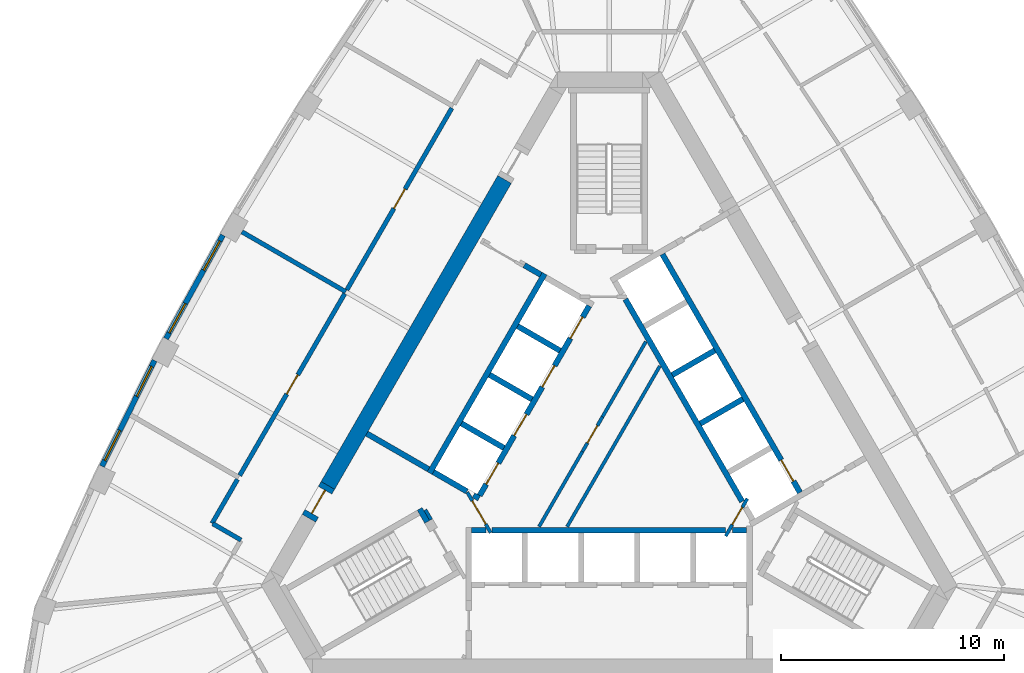
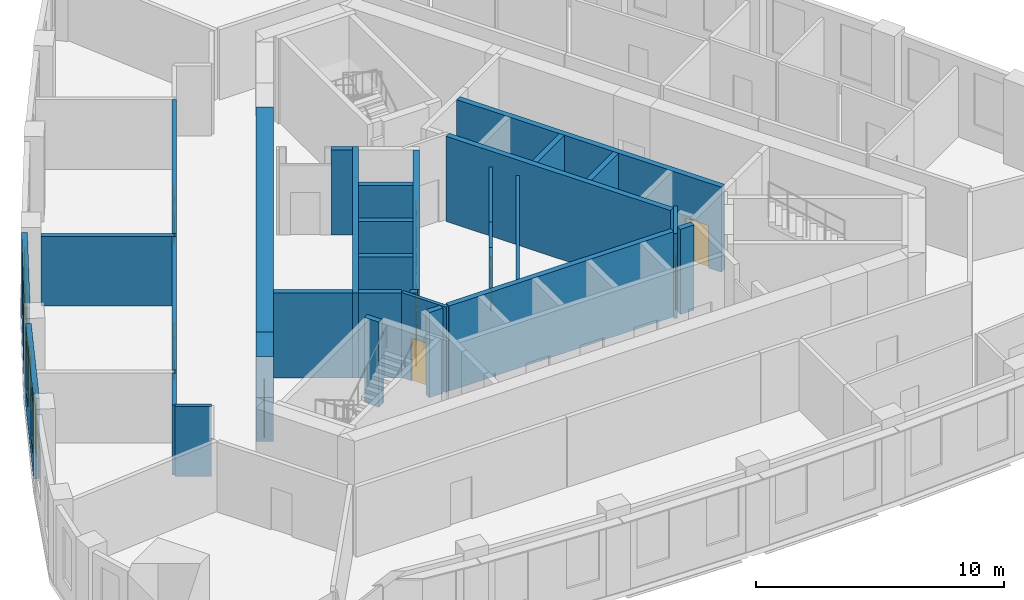
# One storey, part 4 of 10: 33 walls, 11 doors, 4 windows, 15 openings.
"""IFC4 building model written with IfcOpenShell, lengths in metres."""

from ifc_helpers import new_model, si_unit, direction, frame, frame_2d, origin, place, context, subcontext, project, spatial, rectangle, extrude, material, layer, layer_set, type_object, element, fill, save


model = new_model("IFC4")

# Units and contexts
model_context = context("Model", 3, precision=1e-05, world=origin(), true_north=direction((0.0, 1.0)))
body_context = subcontext(model_context, "Body", "Model", "MODEL_VIEW")
ifc_project = project(units=[si_unit("LENGTHUNIT", "METRE"), si_unit("AREAUNIT", "SQUARE_METRE"), si_unit("VOLUMEUNIT", "CUBIC_METRE"), si_unit("PLANEANGLEUNIT", "RADIAN"), si_unit("MASSUNIT", "GRAM", prefix="KILO")], contexts=[model_context])

# Site, building, storey
site_placement = place(None, origin())
site = spatial("IfcSite", under=ifc_project, at=site_placement, CompositionType="ELEMENT")
building_placement = place(site_placement, origin())
building = spatial("IfcBuilding", under=site, at=building_placement, Name="Mestral Congress Tower", CompositionType="ELEMENT")
storey_placement = place(building_placement, frame((0.0, 0.0, 226.800048828125)))
storey = spatial("IfcBuildingStorey", under=building, at=storey_placement, Name="L53", CompositionType="ELEMENT", Elevation=226.800048828125)

# Walls
ifc_material_1 = material(Name="Fire-rated board partition")
ifc_layer_1 = layer(ifc_material_1, 0.14990234375)
ifc_layer_set_1 = layer_set([ifc_layer_1], Name="Fire-rated board partition")
wall_type_1 = type_object("IfcWallType", Name="Core partition 150", PredefinedType="PARTITIONING", material=ifc_layer_set_1)
wall_1_placement = place(storey_placement, frame((-8.251953125, -2.958251953125, 0.0), z_axis=(0.0, 0.0, 1.0), x_axis=(0.500174715838, -0.865924508047, 0.0)))
element("IfcWall", 1, at=wall_1_placement, inside=storey, type_object=wall_type_1, Name="L53 core wall", PredefinedType="PARTITIONING", context=body_context, shape_type="SweptSolid", body=[
    extrude(rectangle(XDim=0.513916015625, YDim=0.14990234375, at=frame_2d((0.2568359375, 0.0))), origin(), (0.0, 0.0, 1.0), 3.449951171875),
])
wall_2_placement = place(storey_placement, frame((-1.886962890625, -3.71826171875, 0.0), z_axis=(0.0, 0.0, 1.0), x_axis=(0.500005008002, 0.866022512394, 0.0)))
element("IfcWall", 2, at=wall_2_placement, inside=storey, type_object=wall_type_1, Name="L53 core wall", PredefinedType="PARTITIONING", context=body_context, shape_type="SweptSolid", body=[
    extrude(rectangle(XDim=8.3271484375, YDim=0.14990234375, at=frame_2d((4.16357421875, 0.0))), origin(), (0.0, 0.0, 1.0), 3.449951171875),
])
wall_3_placement = place(storey_placement, frame((-3.146728515625, -3.71826171875, 0.0), z_axis=(0.0, 0.0, 1.0), x_axis=(0.500010131483, 0.866019554291, 0.0)))
element("IfcWall", 3, at=wall_3_placement, inside=storey, type_object=wall_type_1, Name="L53 core wall", PredefinedType="PARTITIONING", context=body_context, shape_type="SweptSolid", body=[
    extrude(rectangle(XDim=3.8935546875, YDim=0.14990234375, at=frame_2d((1.94677734375, 0.0))), origin(), (0.0, 0.0, 1.0), 3.449951171875),
])
wall_4_placement = place(storey_placement, frame((-0.2998046875, 1.21240234375, 0.0), z_axis=(0.0, 0.0, 1.0), x_axis=(0.499963101113, 0.866046706318, 0.0)))
element("IfcWall", 4, at=wall_4_placement, inside=storey, type_object=wall_type_1, Name="L53 core wall", PredefinedType="PARTITIONING", context=body_context, shape_type="SweptSolid", body=[
    extrude(rectangle(XDim=3.893310546875, YDim=0.14990234375, at=frame_2d((1.94677734375, 0.0))), origin(), (0.0, 0.0, 1.0), 3.449951171875),
])

# Wall, opening, door
wall_5_placement = place(storey_placement, frame((-1.199951171875, -0.346435546875, 0.0), z_axis=(0.0, 0.0, 1.0), x_axis=(0.499961193289, 0.866047807691, 0.0)))
wall_5 = element("IfcWall", 5, at=wall_5_placement, inside=storey, type_object=wall_type_1, Name="L53 door wall", PredefinedType="PARTITIONING", context=body_context, shape_type="SweptSolid", body=[
    extrude(rectangle(XDim=1.800048828125, YDim=0.14990234375, at=frame_2d((0.89990234375, 0.0))), origin(), (0.0, 0.0, 1.0), 3.449951171875),
])
opening_1_placement = place(wall_5_placement, frame((0.449951171875, 0.0, 0.0)))
opening_1 = element("IfcOpeningElement", 6, at=opening_1_placement, cuts=wall_5, Name="Opening SD-HUB1", PredefinedType="OPENING", context=body_context, shape_type="SweptSolid", body=[
    extrude(rectangle(XDim=0.89990234375, YDim=2.10009765625, at=frame_2d((0.449951171875, 1.050048828125))), frame((0.0, 0.0849609375, 0.0), z_axis=(0.0, -1.0, 0.0), x_axis=(1.0, 0.0, 0.0)), (0.0, 0.0, 1.0), 0.169921875),
])
ifc_material_2 = material(Name="Fire-rated steel door set", Category="steel")
door_type_1 = type_object("IfcDoorType", Name="Core door SR 900x2100", OperationType="SINGLE_SWING_LEFT", PredefinedType="DOOR", material=ifc_material_2)
door_1_placement = place(opening_1_placement, origin())
door_1 = element("IfcDoor", 7, at=door_1_placement, inside=storey, type_object=door_type_1, Name="Door SD-HUB1", OperationType="SINGLE_SWING_LEFT", OverallHeight=2.10009765625, OverallWidth=0.89990234375, PredefinedType="DOOR", context=body_context, shape_type="SweptSolid", body=[
    extrude(rectangle(XDim=0.89990234375, YDim=2.10009765625, at=frame_2d((0.449951171875, 1.050048828125))), frame((0.0, 0.02490234375, 0.0), z_axis=(0.0, -1.0, 0.0), x_axis=(1.0, 0.0, 0.0)), (0.0, 0.0, 1.0), 0.050048828125),
])
fill(opening_1, door_1)

# Wall
ifc_material_3 = material(Name="Concrete C60/75", Category="concrete")
ifc_layer_2 = layer(ifc_material_3, 0.699951171875)
ifc_layer_set_2 = layer_set([ifc_layer_2], Name="Concrete C60/75")
wall_type_2 = type_object("IfcWallType", Name="Core wall RC 700", PredefinedType="SOLIDWALL", material=ifc_layer_set_2)
wall_6_placement = place(storey_placement, frame((-12.625, -1.866943359375, 0.0), z_axis=(0.0, 0.0, 1.0), x_axis=(0.500008520515, 0.866020484407, 0.0)))
element("IfcWall", 8, at=wall_6_placement, inside=storey, type_object=wall_type_2, Name="L53 core wall", PredefinedType="SOLIDWALL", context=body_context, shape_type="SweptSolid", body=[
    extrude(rectangle(XDim=15.858642578125, YDim=0.699951171875, at=frame_2d((7.92919921875, 0.0))), origin(), (0.0, 0.0, 1.0), 4.199951171875),
])

# Wall, opening, door
wall_7_placement = place(storey_placement, frame((-13.474853515625, -3.339111328125, 0.0), z_axis=(0.0, 0.0, 1.0), x_axis=(0.499954529098, 0.86605165483, 0.0)))
wall_7 = element("IfcWall", 9, at=wall_7_placement, inside=storey, type_object=wall_type_2, Name="L53 door wall", PredefinedType="SOLIDWALL", context=body_context, shape_type="SweptSolid", body=[
    extrude(rectangle(XDim=1.699951171875, YDim=0.699951171875, at=frame_2d((0.85009765625, 0.0))), origin(), (0.0, 0.0, 1.0), 4.199951171875),
])
opening_2_placement = place(wall_7_placement, frame((0.25, 0.0, 0.0)))
opening_2 = element("IfcOpeningElement", 10, at=opening_2_placement, cuts=wall_7, Name="Opening XD3", PredefinedType="OPENING", context=body_context, shape_type="SweptSolid", body=[
    extrude(rectangle(XDim=1.199951171875, YDim=2.10009765625, at=frame_2d((0.60009765625, 1.050048828125))), frame((0.0, 0.35986328125, 0.0), z_axis=(0.0, -1.0, 0.0), x_axis=(1.0, 0.0, 0.0)), (0.0, 0.0, 1.0), 0.719970703125),
])
door_type_2 = type_object("IfcDoorType", Name="Core door XD 1200x2100", OperationType="SINGLE_SWING_LEFT", PredefinedType="DOOR", material=ifc_material_2)
door_2_placement = place(opening_2_placement, origin())
door_2 = element("IfcDoor", 11, at=door_2_placement, inside=storey, type_object=door_type_2, Name="Door XD3", OperationType="SINGLE_SWING_LEFT", OverallHeight=2.10009765625, OverallWidth=1.199951171875, PredefinedType="DOOR", context=body_context, shape_type="SweptSolid", body=[
    extrude(rectangle(XDim=1.199951171875, YDim=2.10009765625, at=frame_2d((0.60009765625, 1.050048828125))), frame((0.0, 0.02490234375, 0.0), z_axis=(0.0, -1.0, 0.0), x_axis=(1.0, 0.0, 0.0)), (0.0, 0.0, 1.0), 0.050048828125),
])
fill(opening_2, door_2)

# Wall, openings, windows
ifc_material_4 = material(Name="Precast concrete C40/50 with limestone facing", Category="masonry")
ifc_layer_3 = layer(ifc_material_4, 0.239990234375)
ifc_layer_set_3 = layer_set([ifc_layer_3], Name="Precast concrete C40/50 with limestone facing")
wall_type_3 = type_object("IfcWallType", Name="Facade stone wall 240", PredefinedType="SOLIDWALL", material=ifc_layer_set_3)
wall_8_placement = place(storey_placement, frame((-17.338134765625, 9.367919921875, 0.0), z_axis=(0.0, 0.0, 1.0), x_axis=(-0.481925825015, -0.876212017256, 0.0)))
wall_8 = element("IfcWall", 12, at=wall_8_placement, inside=storey, type_object=wall_type_3, Name="Facade wall F2-03", PredefinedType="SOLIDWALL", context=body_context, shape_type="SweptSolid", body=[
    extrude(rectangle(XDim=5.298583984375, YDim=0.239990234375, at=frame_2d((2.6494140625, 0.0))), origin(), (0.0, 0.0, 1.0), 3.949951171875),
])
opening_3_placement = place(wall_8_placement, frame((0.294677734375, 0.0, 0.89990234375)))
opening_3 = element("IfcOpeningElement", 13, at=opening_3_placement, cuts=wall_8, Name="Opening W4", PredefinedType="OPENING", context=body_context, shape_type="SweptSolid", body=[
    extrude(rectangle(XDim=1.5, YDim=2.550048828125, at=frame_2d((0.75, 1.27490234375))), frame((0.0, 0.1298828125, 0.0), z_axis=(0.0, -1.0, 0.0), x_axis=(1.0, 0.0, 0.0)), (0.0, 0.0, 1.0), 0.260009765625),
])
opening_4_placement = place(wall_8_placement, frame((3.503662109375, 0.0, 0.89990234375)))
opening_4 = element("IfcOpeningElement", 14, at=opening_4_placement, cuts=wall_8, Name="Opening W4", PredefinedType="OPENING", context=body_context, shape_type="SweptSolid", body=[
    extrude(rectangle(XDim=1.5, YDim=2.550048828125, at=frame_2d((0.75, 1.27490234375))), frame((0.0, 0.1298828125, 0.0), z_axis=(0.0, -1.0, 0.0), x_axis=(1.0, 0.0, 0.0)), (0.0, 0.0, 1.0), 0.260009765625),
])
ifc_material_5 = material(Name="Clear low-emissivity double glazing", Category="glass")
window_type = type_object("IfcWindowType", Name="Facade punched window 1500 x 2550 sill 900", PartitioningType="SINGLE_PANEL", PredefinedType="WINDOW", material=ifc_material_5)
window_1_placement = place(opening_3_placement, origin())
window_1 = element("IfcWindow", 15, at=window_1_placement, inside=storey, type_object=window_type, Name="Window F2-03a", OverallHeight=2.550048828125, OverallWidth=1.5, PartitioningType="SINGLE_PANEL", PredefinedType="WINDOW", context=body_context, shape_type="SweptSolid", body=[
    extrude(rectangle(XDim=1.5, YDim=2.550048828125, at=frame_2d((0.75, 1.27490234375))), frame((0.0, 0.0400390625, 0.0), z_axis=(0.0, -1.0, 0.0), x_axis=(1.0, 0.0, 0.0)), (0.0, 0.0, 1.0), 0.06005859375),
])
fill(opening_3, window_1)
window_2_placement = place(opening_4_placement, origin())
window_2 = element("IfcWindow", 16, at=window_2_placement, inside=storey, type_object=window_type, Name="Window F2-03b", OverallHeight=2.550048828125, OverallWidth=1.5, PartitioningType="SINGLE_PANEL", PredefinedType="WINDOW", context=body_context, shape_type="SweptSolid", body=[
    extrude(rectangle(XDim=1.5, YDim=2.550048828125, at=frame_2d((0.75, 1.27490234375))), frame((0.0, 0.0400390625, 0.0), z_axis=(0.0, -1.0, 0.0), x_axis=(1.0, 0.0, 0.0)), (0.0, 0.0, 1.0), 0.06005859375),
])
fill(opening_4, window_2)

wall_9_placement = place(storey_placement, frame((-20.407470703125, 3.739501953125, 0.0), z_axis=(0.0, 0.0, 1.0), x_axis=(-0.445129582031, -0.895466166419, 0.0)))
wall_9 = element("IfcWall", 17, at=wall_9_placement, inside=storey, type_object=wall_type_3, Name="Facade wall F2-04", PredefinedType="SOLIDWALL", context=body_context, shape_type="SweptSolid", body=[
    extrude(rectangle(XDim=5.29833984375, YDim=0.239990234375, at=frame_2d((2.649169921875, 0.0))), origin(), (0.0, 0.0, 1.0), 3.949951171875),
])
opening_5_placement = place(wall_9_placement, frame((0.294677734375, 0.0, 0.89990234375)))
opening_5 = element("IfcOpeningElement", 18, at=opening_5_placement, cuts=wall_9, Name="Opening W4", PredefinedType="OPENING", context=body_context, shape_type="SweptSolid", body=[
    extrude(rectangle(XDim=1.5, YDim=2.550048828125, at=frame_2d((0.75, 1.27490234375))), frame((0.0, 0.1298828125, 0.0), z_axis=(0.0, -1.0, 0.0), x_axis=(1.0, 0.0, 0.0)), (0.0, 0.0, 1.0), 0.260009765625),
])
opening_6_placement = place(wall_9_placement, frame((3.503662109375, 0.0, 0.89990234375)))
opening_6 = element("IfcOpeningElement", 19, at=opening_6_placement, cuts=wall_9, Name="Opening W4", PredefinedType="OPENING", context=body_context, shape_type="SweptSolid", body=[
    extrude(rectangle(XDim=1.5, YDim=2.550048828125, at=frame_2d((0.75, 1.27490234375))), frame((0.0, 0.1298828125, 0.0), z_axis=(0.0, -1.0, 0.0), x_axis=(1.0, 0.0, 0.0)), (0.0, 0.0, 1.0), 0.260009765625),
])
window_3_placement = place(opening_5_placement, origin())
window_3 = element("IfcWindow", 20, at=window_3_placement, inside=storey, type_object=window_type, Name="Window F2-04a", OverallHeight=2.550048828125, OverallWidth=1.5, PartitioningType="SINGLE_PANEL", PredefinedType="WINDOW", context=body_context, shape_type="SweptSolid", body=[
    extrude(rectangle(XDim=1.5, YDim=2.550048828125, at=frame_2d((0.75, 1.27490234375))), frame((0.0, 0.0400390625, 0.0), z_axis=(0.0, -1.0, 0.0), x_axis=(1.0, 0.0, 0.0)), (0.0, 0.0, 1.0), 0.06005859375),
])
fill(opening_5, window_3)
window_4_placement = place(opening_6_placement, origin())
window_4 = element("IfcWindow", 21, at=window_4_placement, inside=storey, type_object=window_type, Name="Window F2-04b", OverallHeight=2.550048828125, OverallWidth=1.5, PartitioningType="SINGLE_PANEL", PredefinedType="WINDOW", context=body_context, shape_type="SweptSolid", body=[
    extrude(rectangle(XDim=1.5, YDim=2.550048828125, at=frame_2d((0.75, 1.27490234375))), frame((0.0, 0.0400390625, 0.0), z_axis=(0.0, -1.0, 0.0), x_axis=(1.0, 0.0, 0.0)), (0.0, 0.0, 1.0), 0.06005859375),
])
fill(opening_6, window_4)

# Wall
ifc_material_6 = material(Name="Dense masonry wall, plastered", Category="masonry")
ifc_layer_4 = layer(ifc_material_6, 0.199951171875)
ifc_layer_set_4 = layer_set([ifc_layer_4], Name="Dense masonry wall, plastered")
wall_type_4 = type_object("IfcWallType", Name="Office tenancy wall 200", PredefinedType="PARTITIONING", material=ifc_layer_set_4)
wall_10_placement = place(storey_placement, frame((-11.8212890625, 6.824951171875, 0.0), z_axis=(0.0, 0.0, 1.0), x_axis=(-0.866011792348, 0.500023574959, 0.0)))
element("IfcWall", 22, at=wall_10_placement, inside=storey, type_object=wall_type_4, Name="Tenancy wall", PredefinedType="PARTITIONING", context=body_context, shape_type="SweptSolid", body=[
    extrude(rectangle(XDim=5.380615234375, YDim=0.199951171875, at=frame_2d((2.6904296875, 0.0))), origin(), (0.0, 0.0, 1.0), 3.449951171875),
])

# Wall, opening, door
wall_11_placement = place(storey_placement, frame((-7.061279296875, 15.0693359375, 0.0), z_axis=(0.0, 0.0, 1.0), x_axis=(-0.500008127286, -0.866020711443, 0.0)))
wall_11 = element("IfcWall", 23, at=wall_11_placement, inside=storey, type_object=wall_type_4, Name="Tenancy wall", PredefinedType="PARTITIONING", context=body_context, shape_type="SweptSolid", body=[
    extrude(rectangle(XDim=9.419677734375, YDim=0.199951171875, at=frame_2d((4.7099609375, 0.0))), origin(), (0.0, 0.0, 1.0), 3.449951171875),
])
opening_7_placement = place(wall_11_placement, frame((4.199951171875, 0.0, 0.0)))
opening_7 = element("IfcOpeningElement", 24, at=opening_7_placement, cuts=wall_11, Name="Opening O08-002", PredefinedType="OPENING", context=body_context, shape_type="SweptSolid", body=[
    extrude(rectangle(XDim=1.0, YDim=2.10009765625, at=frame_2d((0.5, 1.050048828125))), frame((0.0, 0.10986328125, 0.0), z_axis=(0.0, -1.0, 0.0), x_axis=(1.0, 0.0, 0.0)), (0.0, 0.0, 1.0), 0.219970703125),
])
ifc_material_7 = material(Name="Fire-rated timber door set", Category="wood")
door_type_3 = type_object("IfcDoorType", Name="Office tenancy entrance door 1000x2100", OperationType="SINGLE_SWING_LEFT", PredefinedType="DOOR", material=ifc_material_7)
door_3_placement = place(opening_7_placement, origin())
door_3 = element("IfcDoor", 25, at=door_3_placement, inside=storey, type_object=door_type_3, Name="Door O08-002", OperationType="SINGLE_SWING_LEFT", OverallHeight=2.10009765625, OverallWidth=1.0, PredefinedType="DOOR", context=body_context, shape_type="SweptSolid", body=[
    extrude(rectangle(XDim=1.0, YDim=2.10009765625, at=frame_2d((0.5, 1.050048828125))), frame((0.0, 0.02490234375, 0.0), z_axis=(0.0, -1.0, 0.0), x_axis=(1.0, 0.0, 0.0)), (0.0, 0.0, 1.0), 0.050048828125),
])
fill(opening_7, door_3)

wall_12_placement = place(storey_placement, frame((-11.87109375, 6.73828125, 0.0), z_axis=(0.0, 0.0, 1.0), x_axis=(-0.500019350398, -0.866014231539, 0.0)))
wall_12 = element("IfcWall", 26, at=wall_12_placement, inside=storey, type_object=wall_type_4, Name="Tenancy wall", PredefinedType="PARTITIONING", context=body_context, shape_type="SweptSolid", body=[
    extrude(rectangle(XDim=9.419677734375, YDim=0.199951171875, at=frame_2d((4.7099609375, 0.0))), origin(), (0.0, 0.0, 1.0), 3.449951171875),
])
opening_8_placement = place(wall_12_placement, frame((4.199951171875, 0.0, 0.0)))
opening_8 = element("IfcOpeningElement", 27, at=opening_8_placement, cuts=wall_12, Name="Opening O08-003", PredefinedType="OPENING", context=body_context, shape_type="SweptSolid", body=[
    extrude(rectangle(XDim=1.0, YDim=2.10009765625, at=frame_2d((0.5, 1.050048828125))), frame((0.0, 0.10986328125, 0.0), z_axis=(0.0, -1.0, 0.0), x_axis=(1.0, 0.0, 0.0)), (0.0, 0.0, 1.0), 0.219970703125),
])
door_4_placement = place(opening_8_placement, origin())
door_4 = element("IfcDoor", 28, at=door_4_placement, inside=storey, type_object=door_type_3, Name="Door O08-003", OperationType="SINGLE_SWING_LEFT", OverallHeight=2.10009765625, OverallWidth=1.0, PredefinedType="DOOR", context=body_context, shape_type="SweptSolid", body=[
    extrude(rectangle(XDim=1.0, YDim=2.10009765625, at=frame_2d((0.5, 1.050048828125))), frame((0.0, 0.02490234375, 0.0), z_axis=(0.0, -1.0, 0.0), x_axis=(1.0, 0.0, 0.0)), (0.0, 0.0, 1.0), 0.050048828125),
])
fill(opening_8, door_4)

# Walls
wall_13_placement = place(storey_placement, frame((-16.68115234375, -1.592529296875, 0.0), z_axis=(0.0, 0.0, 1.0), x_axis=(-0.499985038317, -0.866034041744, 0.0)))
element("IfcWall", 29, at=wall_13_placement, inside=storey, type_object=wall_type_4, Name="Tenancy wall", PredefinedType="PARTITIONING", context=body_context, shape_type="SweptSolid", body=[
    extrude(rectangle(XDim=2.2802734375, YDim=0.199951171875, at=frame_2d((1.14013671875, 0.0))), origin(), (0.0, 0.0, 1.0), 3.449951171875),
])
wall_14_placement = place(storey_placement, frame((-17.79541015625, -3.582275390625, 0.0), z_axis=(0.0, 0.0, 1.0), x_axis=(0.866016893711, -0.50001473959, 0.0)))
element("IfcWall", 30, at=wall_14_placement, inside=storey, type_object=wall_type_4, Name="Tenancy wall", PredefinedType="PARTITIONING", context=body_context, shape_type="SweptSolid", body=[
    extrude(rectangle(XDim=1.47021484375, YDim=0.199951171875, at=frame_2d((0.735107421875, 0.0))), origin(), (0.0, 0.0, 1.0), 3.449951171875),
])
ifc_layer_5 = layer(ifc_material_3, 0.25)
ifc_layer_set_5 = layer_set([ifc_layer_5], Name="Concrete C60/75")
wall_type_5 = type_object("IfcWallType", Name="Shaft wall RC 250", PredefinedType="SOLIDWALL", material=ifc_layer_set_5)
wall_15_placement = place(storey_placement, frame((-5.25927734375, -3.875, 0.0), z_axis=(0.0, 0.0, 1.0), x_axis=(1.0, 0.0, 0.0)))
element("IfcWall", 31, at=wall_15_placement, inside=storey, type_object=wall_type_5, Name="L53 core wall", PredefinedType="SOLIDWALL", context=body_context, shape_type="SweptSolid", body=[
    extrude(rectangle(XDim=10.488525390625, YDim=0.25, at=frame_2d((5.244140625, 0.0))), origin(), (0.0, 0.0, 1.0), 4.199951171875),
])
for number, where, z_axis, x_axis, name in (
    (32, (-6.175048828125, -3.875, 0.0), (0.0, 0.0, 1.0), (1.0, 0.0, 0.0), "L53 core wall"),
    (33, (5.538330078125, -3.875, 0.0), (0.0, 0.0, 1.0), (1.0, 0.0, 0.0), "L53 core wall"),
):
    element("IfcWall", number, at=place(storey_placement, frame(where, z_axis=z_axis, x_axis=x_axis)), inside=storey, type_object=wall_type_5, Name=name, PredefinedType="SOLIDWALL", context=body_context, shape_type="SweptSolid", body=[
        extrude(rectangle(XDim=0.63671875, YDim=0.25, at=frame_2d((0.318359375, 0.0))), origin(), (0.0, 0.0, 1.0), 4.199951171875),
    ])
wall_16_placement = place(storey_placement, frame((5.970458984375, -2.591064453125, 0.0), z_axis=(0.0, 0.0, 1.0), x_axis=(-0.499994469932, 0.866028596547, 0.0)))
element("IfcWall", 34, at=wall_16_placement, inside=storey, type_object=wall_type_5, Name="L53 core wall", PredefinedType="SOLIDWALL", context=body_context, shape_type="SweptSolid", body=[
    extrude(rectangle(XDim=10.48828125, YDim=0.25, at=frame_2d((5.244140625, 0.0))), origin(), (0.0, 0.0, 1.0), 4.199951171875),
])
for number, where, z_axis, x_axis, name in (
    (35, (2.833984375, 3.091064453125, 0.0), (0.0, 0.0, 1.0), (0.866008176907, 0.50002983664, 0.0), "L53 core wall"),
    (36, (4.093994140625, 0.90869140625, 0.0), (0.0, 0.0, 1.0), (0.866008176907, 0.50002983664, 0.0), "L53 core wall"),
):
    element("IfcWall", number, at=place(storey_placement, frame(where, z_axis=z_axis, x_axis=x_axis)), inside=storey, type_object=wall_type_5, Name=name, PredefinedType="SOLIDWALL", context=body_context, shape_type="SweptSolid", body=[
        extrude(rectangle(XDim=2.199951171875, YDim=0.25, at=frame_2d((1.10009765625, 0.0))), origin(), (0.0, 0.0, 1.0), 4.199951171875),
    ])
wall_17_placement = place(storey_placement, frame((-8.06005859375, -1.310546875, 0.0), z_axis=(0.0, 0.0, 1.0), x_axis=(0.50000273126, 0.866023826885, 0.0)))
element("IfcWall", 37, at=wall_17_placement, inside=storey, type_object=wall_type_5, Name="L53 core wall", PredefinedType="SOLIDWALL", context=body_context, shape_type="SweptSolid", body=[
    extrude(rectangle(XDim=10.330078125, YDim=0.25, at=frame_2d((5.1650390625, 0.0))), origin(), (0.0, 0.0, 1.0), 4.199951171875),
])
for number, where, z_axis, x_axis, name in (
    (38, (-2.2041015625, 4.182373046875, 0.0), (0.0, 0.0, 1.0), (-0.866008176907, 0.50002983664, 0.0), "L53 core wall"),
    (39, (-5.369384765625, 3.10009765625, 0.0), (0.0, 0.0, 1.0), (0.866008176907, -0.50002983664, 0.0), "L53 core wall"),
    (40, (-4.72412109375, -0.182373046875, 0.0), (0.0, 0.0, 1.0), (-0.866008176907, 0.50002983664, 0.0), "L53 core wall"),
):
    element("IfcWall", number, at=place(storey_placement, frame(where, z_axis=z_axis, x_axis=x_axis)), inside=storey, type_object=wall_type_5, Name=name, PredefinedType="SOLIDWALL", context=body_context, shape_type="SweptSolid", body=[
        extrude(rectangle(XDim=2.199951171875, YDim=0.25, at=frame_2d((1.10009765625, 0.0))), origin(), (0.0, 0.0, 1.0), 4.199951171875),
    ])
wall_18_placement = place(storey_placement, frame((-6.088134765625, -2.3046875, 0.0), z_axis=(0.0, 0.0, 1.0), x_axis=(0.866059450854, -0.499941024108, 0.0)))
element("IfcWall", 41, at=wall_18_placement, inside=storey, type_object=wall_type_5, Name="L53 core wall", PredefinedType="SOLIDWALL", context=body_context, shape_type="SweptSolid", body=[
    extrude(rectangle(XDim=0.2900390625, YDim=0.25, at=frame_2d((0.14501953125, 0.0))), origin(), (0.0, 0.0, 1.0), 4.199951171875),
])
wall_19_placement = place(storey_placement, frame((-7.889404296875, -1.2646484375, 0.0), z_axis=(0.0, 0.0, 1.0), x_axis=(0.865986741702, -0.500066958712, 0.0)))
element("IfcWall", 42, at=wall_19_placement, inside=storey, type_object=wall_type_5, Name="L53 core wall", PredefinedType="SOLIDWALL", context=body_context, shape_type="SweptSolid", body=[
    extrude(rectangle(XDim=1.738037109375, YDim=0.25, at=frame_2d((0.869140625, 0.0))), origin(), (0.0, 0.0, 1.0), 4.199951171875),
])
wall_20_placement = place(storey_placement, frame((-8.10595703125, -1.139892578125, 0.0), z_axis=(0.0, 0.0, 1.0), x_axis=(-0.866008981251, 0.500028443584, 0.0)))
element("IfcWall", 43, at=wall_20_placement, inside=storey, type_object=wall_type_5, Name="L53 core wall", PredefinedType="SOLIDWALL", context=body_context, shape_type="SweptSolid", body=[
    extrude(rectangle(XDim=3.199951171875, YDim=0.25, at=frame_2d((1.60009765625, 0.0))), origin(), (0.0, 0.0, 1.0), 4.199951171875),
])
wall_21_placement = place(storey_placement, frame((-3.06591796875, 7.58984375, 0.0), z_axis=(0.0, 0.0, 1.0), x_axis=(-0.866081358704, 0.49990307071, 0.0)))
element("IfcWall", 44, at=wall_21_placement, inside=storey, type_object=wall_type_5, Name="L53 core wall", PredefinedType="SOLIDWALL", context=body_context, shape_type="SweptSolid", body=[
    extrude(rectangle(XDim=0.858154296875, YDim=0.25, at=frame_2d((0.42919921875, 0.0))), origin(), (0.0, 0.0, 1.0), 4.199951171875),
])

# Wall, opening, door
wall_22_placement = place(storey_placement, frame((8.565185546875, -2.185302734375, 0.0), z_axis=(0.0, 0.0, 1.0), x_axis=(-0.499997954832, 0.866026584559, 0.0)))
wall_22 = element("IfcWall", 45, at=wall_22_placement, inside=storey, type_object=wall_type_5, Name="L53 door wall", PredefinedType="SOLIDWALL", context=body_context, shape_type="SweptSolid", body=[
    extrude(rectangle(XDim=12.35009765625, YDim=0.25, at=frame_2d((6.175048828125, 0.0))), origin(), (0.0, 0.0, 1.0), 4.199951171875),
])
opening_9_placement = place(wall_22_placement, frame((0.5849609375, 0.0, 0.0)))
opening_9 = element("IfcOpeningElement", 46, at=opening_9_placement, cuts=wall_22, Name="Opening LD-NEB1", PredefinedType="OPENING", context=body_context, shape_type="SweptSolid", body=[
    extrude(rectangle(XDim=1.10009765625, YDim=2.10009765625, at=frame_2d((0.550048828125, 1.050048828125))), frame((0.0, 0.135009765625, 0.0), z_axis=(0.0, -1.0, 0.0), x_axis=(1.0, 0.0, 0.0)), (0.0, 0.0, 1.0), 0.27001953125),
])
door_type_4 = type_object("IfcDoorType", Name="Core door LD 1100x2100", OperationType="DOUBLE_DOOR_SLIDING", PredefinedType="DOOR", material=ifc_material_2)
door_5_placement = place(opening_9_placement, origin())
door_5 = element("IfcDoor", 47, at=door_5_placement, inside=storey, type_object=door_type_4, Name="Door LD-NEB1", OperationType="DOUBLE_DOOR_SLIDING", OverallHeight=2.10009765625, OverallWidth=1.10009765625, PredefinedType="DOOR", context=body_context, shape_type="SweptSolid", body=[
    extrude(rectangle(XDim=1.10009765625, YDim=2.10009765625, at=frame_2d((0.550048828125, 1.050048828125))), frame((0.0, 0.02490234375, 0.0), z_axis=(0.0, -1.0, 0.0), x_axis=(1.0, 0.0, 0.0)), (0.0, 0.0, 1.0), 0.050048828125),
])
fill(opening_9, door_5)

# Wall, openings, doors
wall_23_placement = place(storey_placement, frame((-0.898193359375, 6.194091796875, 0.0), z_axis=(0.0, 0.0, 1.0), x_axis=(-0.499996202215, -0.866027596426, 0.0)))
wall_23 = element("IfcWall", 48, at=wall_23_placement, inside=storey, type_object=wall_type_5, Name="L53 door wall", PredefinedType="SOLIDWALL", context=body_context, shape_type="SweptSolid", body=[
    extrude(rectangle(XDim=9.830078125, YDim=0.25, at=frame_2d((4.9150390625, 0.0))), origin(), (0.0, 0.0, 1.0), 4.199951171875),
])
opening_10_placement = place(wall_23_placement, frame((0.5849609375, 0.0, 0.0)))
opening_10 = element("IfcOpeningElement", 49, at=opening_10_placement, cuts=wall_23, Name="Opening LD-NWB1", PredefinedType="OPENING", context=body_context, shape_type="SweptSolid", body=[
    extrude(rectangle(XDim=1.10009765625, YDim=2.10009765625, at=frame_2d((0.550048828125, 1.050048828125))), frame((0.0, 0.135009765625, 0.0), z_axis=(0.0, -1.0, 0.0), x_axis=(1.0, 0.0, 0.0)), (0.0, 0.0, 1.0), 0.27001953125),
])
opening_11_placement = place(wall_23_placement, frame((3.10498046875, 0.0, 0.0)))
opening_11 = element("IfcOpeningElement", 50, at=opening_11_placement, cuts=wall_23, Name="Opening LD-NWB2", PredefinedType="OPENING", context=body_context, shape_type="SweptSolid", body=[
    extrude(rectangle(XDim=1.10009765625, YDim=2.10009765625, at=frame_2d((0.550048828125, 1.050048828125))), frame((0.0, 0.135009765625, 0.0), z_axis=(0.0, -1.0, 0.0), x_axis=(1.0, 0.0, 0.0)), (0.0, 0.0, 1.0), 0.27001953125),
])
opening_12_placement = place(wall_23_placement, frame((5.625, 0.0, 0.0)))
opening_12 = element("IfcOpeningElement", 51, at=opening_12_placement, cuts=wall_23, Name="Opening LD-NWB3", PredefinedType="OPENING", context=body_context, shape_type="SweptSolid", body=[
    extrude(rectangle(XDim=1.10009765625, YDim=2.10009765625, at=frame_2d((0.550048828125, 1.050048828125))), frame((0.0, 0.135009765625, 0.0), z_axis=(0.0, -1.0, 0.0), x_axis=(1.0, 0.0, 0.0)), (0.0, 0.0, 1.0), 0.27001953125),
])
opening_13_placement = place(wall_23_placement, frame((8.14501953125, 0.0, 0.0)))
opening_13 = element("IfcOpeningElement", 52, at=opening_13_placement, cuts=wall_23, Name="Opening LD-NWB4", PredefinedType="OPENING", context=body_context, shape_type="SweptSolid", body=[
    extrude(rectangle(XDim=1.10009765625, YDim=2.10009765625, at=frame_2d((0.550048828125, 1.050048828125))), frame((0.0, 0.135009765625, 0.0), z_axis=(0.0, -1.0, 0.0), x_axis=(1.0, 0.0, 0.0)), (0.0, 0.0, 1.0), 0.27001953125),
])
door_6_placement = place(opening_10_placement, origin())
door_6 = element("IfcDoor", 53, at=door_6_placement, inside=storey, type_object=door_type_4, Name="Door LD-NWB1", OperationType="DOUBLE_DOOR_SLIDING", OverallHeight=2.10009765625, OverallWidth=1.10009765625, PredefinedType="DOOR", context=body_context, shape_type="SweptSolid", body=[
    extrude(rectangle(XDim=1.10009765625, YDim=2.10009765625, at=frame_2d((0.550048828125, 1.050048828125))), frame((0.0, 0.02490234375, 0.0), z_axis=(0.0, -1.0, 0.0), x_axis=(1.0, 0.0, 0.0)), (0.0, 0.0, 1.0), 0.050048828125),
])
fill(opening_10, door_6)
door_7_placement = place(opening_11_placement, origin())
door_7 = element("IfcDoor", 54, at=door_7_placement, inside=storey, type_object=door_type_4, Name="Door LD-NWB2", OperationType="DOUBLE_DOOR_SLIDING", OverallHeight=2.10009765625, OverallWidth=1.10009765625, PredefinedType="DOOR", context=body_context, shape_type="SweptSolid", body=[
    extrude(rectangle(XDim=1.10009765625, YDim=2.10009765625, at=frame_2d((0.550048828125, 1.050048828125))), frame((0.0, 0.02490234375, 0.0), z_axis=(0.0, -1.0, 0.0), x_axis=(1.0, 0.0, 0.0)), (0.0, 0.0, 1.0), 0.050048828125),
])
fill(opening_11, door_7)
door_8_placement = place(opening_12_placement, origin())
door_8 = element("IfcDoor", 55, at=door_8_placement, inside=storey, type_object=door_type_4, Name="Door LD-NWB3", OperationType="DOUBLE_DOOR_SLIDING", OverallHeight=2.10009765625, OverallWidth=1.10009765625, PredefinedType="DOOR", context=body_context, shape_type="SweptSolid", body=[
    extrude(rectangle(XDim=1.10009765625, YDim=2.10009765625, at=frame_2d((0.550048828125, 1.050048828125))), frame((0.0, 0.02490234375, 0.0), z_axis=(0.0, -1.0, 0.0), x_axis=(1.0, 0.0, 0.0)), (0.0, 0.0, 1.0), 0.050048828125),
])
fill(opening_12, door_8)
door_9_placement = place(opening_13_placement, origin())
door_9 = element("IfcDoor", 56, at=door_9_placement, inside=storey, type_object=door_type_4, Name="Door LD-NWB4", OperationType="DOUBLE_DOOR_SLIDING", OverallHeight=2.10009765625, OverallWidth=1.10009765625, PredefinedType="DOOR", context=body_context, shape_type="SweptSolid", body=[
    extrude(rectangle(XDim=1.10009765625, YDim=2.10009765625, at=frame_2d((0.550048828125, 1.050048828125))), frame((0.0, 0.02490234375, 0.0), z_axis=(0.0, -1.0, 0.0), x_axis=(1.0, 0.0, 0.0)), (0.0, 0.0, 1.0), 0.050048828125),
])
fill(opening_13, door_9)

# Wall, opening, door
ifc_layer_6 = layer(ifc_material_3, 0.14990234375)
ifc_layer_set_6 = layer_set([ifc_layer_6], Name="Concrete C60/75")
wall_type_6 = type_object("IfcWallType", Name="Shaft wall RC 250 door-wall 150", PredefinedType="SOLIDWALL", material=ifc_layer_set_6)
wall_24_placement = place(storey_placement, frame((6.203369140625, -2.45556640625, 0.0), z_axis=(0.0, 0.0, 1.0), x_axis=(-0.500043961785, -0.866000020948, 0.0)))
wall_24 = element("IfcWall", 57, at=wall_24_placement, inside=storey, type_object=wall_type_6, Name="L53 door wall", PredefinedType="PARTITIONING", context=body_context, shape_type="SweptSolid", body=[
    extrude(rectangle(XDim=1.949951171875, YDim=0.14990234375, at=frame_2d((0.97509765625, 0.0))), origin(), (0.0, 0.0, 1.0), 4.199951171875),
])
opening_14_placement = place(wall_24_placement, frame((0.449951171875, 0.0, 0.0)))
opening_14 = element("IfcOpeningElement", 58, at=opening_14_placement, cuts=wall_24, Name="Opening CD1-HUB0", PredefinedType="OPENING", context=body_context, shape_type="SweptSolid", body=[
    extrude(rectangle(XDim=0.89990234375, YDim=2.10009765625, at=frame_2d((0.449951171875, 1.050048828125))), frame((0.0, 0.0849609375, 0.0), z_axis=(0.0, -1.0, 0.0), x_axis=(1.0, 0.0, 0.0)), (0.0, 0.0, 1.0), 0.169921875),
])
door_type_5 = type_object("IfcDoorType", Name="Core door CD 900x2100", OperationType="SINGLE_SWING_LEFT", PredefinedType="DOOR", material=ifc_material_2)
door_10_placement = place(opening_14_placement, origin())
door_10 = element("IfcDoor", 59, at=door_10_placement, inside=storey, type_object=door_type_5, Name="Door CD1-HUB0", OperationType="SINGLE_SWING_LEFT", OverallHeight=2.10009765625, OverallWidth=0.89990234375, PredefinedType="DOOR", context=body_context, shape_type="SweptSolid", body=[
    extrude(rectangle(XDim=0.89990234375, YDim=2.10009765625, at=frame_2d((0.449951171875, 1.050048828125))), frame((0.0, 0.02490234375, 0.0), z_axis=(0.0, -1.0, 0.0), x_axis=(1.0, 0.0, 0.0)), (0.0, 0.0, 1.0), 0.050048828125),
])
fill(opening_14, door_10)

wall_25_placement = place(storey_placement, frame((-5.3173828125, -3.98974609375, 0.0), z_axis=(0.0, 0.0, 1.0), x_axis=(-0.500027713859, 0.866009402589, 0.0)))
wall_25 = element("IfcWall", 60, at=wall_25_placement, inside=storey, type_object=wall_type_6, Name="L53 door wall", PredefinedType="PARTITIONING", context=body_context, shape_type="SweptSolid", body=[
    extrude(rectangle(XDim=2.10009765625, YDim=0.14990234375, at=frame_2d((1.050048828125, 0.0))), origin(), (0.0, 0.0, 1.0), 4.199951171875),
])
opening_15_placement = place(wall_25_placement, frame((0.449951171875, 0.0, 0.0)))
opening_15 = element("IfcOpeningElement", 61, at=opening_15_placement, cuts=wall_25, Name="Opening CD3-FF", PredefinedType="OPENING", context=body_context, shape_type="SweptSolid", body=[
    extrude(rectangle(XDim=1.199951171875, YDim=2.10009765625, at=frame_2d((0.60009765625, 1.050048828125))), frame((0.0, 0.0849609375, 0.0), z_axis=(0.0, -1.0, 0.0), x_axis=(1.0, 0.0, 0.0)), (0.0, 0.0, 1.0), 0.169921875),
])
door_type_6 = type_object("IfcDoorType", Name="Core door CD 1200x2100", OperationType="SINGLE_SWING_LEFT", PredefinedType="DOOR", material=ifc_material_2)
door_11_placement = place(opening_15_placement, origin())
door_11 = element("IfcDoor", 62, at=door_11_placement, inside=storey, type_object=door_type_6, Name="Door CD3-FF", OperationType="SINGLE_SWING_LEFT", OverallHeight=2.10009765625, OverallWidth=1.199951171875, PredefinedType="DOOR", context=body_context, shape_type="SweptSolid", body=[
    extrude(rectangle(XDim=1.199951171875, YDim=2.10009765625, at=frame_2d((0.60009765625, 1.050048828125))), frame((0.0, 0.02490234375, 0.0), z_axis=(0.0, -1.0, 0.0), x_axis=(1.0, 0.0, 0.0)), (0.0, 0.0, 1.0), 0.050048828125),
])
fill(opening_15, door_11)

# Wall
ifc_layer_7 = layer(ifc_material_3, 0.25)
ifc_layer_set_7 = layer_set([ifc_layer_7], Name="Concrete C60/75")
wall_type_7 = type_object("IfcWallType", Name="Stair wall RC 250", PredefinedType="SOLIDWALL", material=ifc_layer_set_7)
wall_26_placement = place(storey_placement, frame((-8.167724609375, -3.503173828125, 0.0), z_axis=(0.0, 0.0, 1.0), x_axis=(-0.499952099219, 0.866053057547, 0.0)))
element("IfcWall", 63, at=wall_26_placement, inside=storey, type_object=wall_type_7, Name="L53 core wall", PredefinedType="SOLIDWALL", context=body_context, shape_type="SweptSolid", body=[
    extrude(rectangle(XDim=0.6748046875, YDim=0.25, at=frame_2d((0.33740234375, 0.0))), origin(), (0.0, 0.0, 1.0), 4.199951171875),
])

save(model, "model.ifc")
